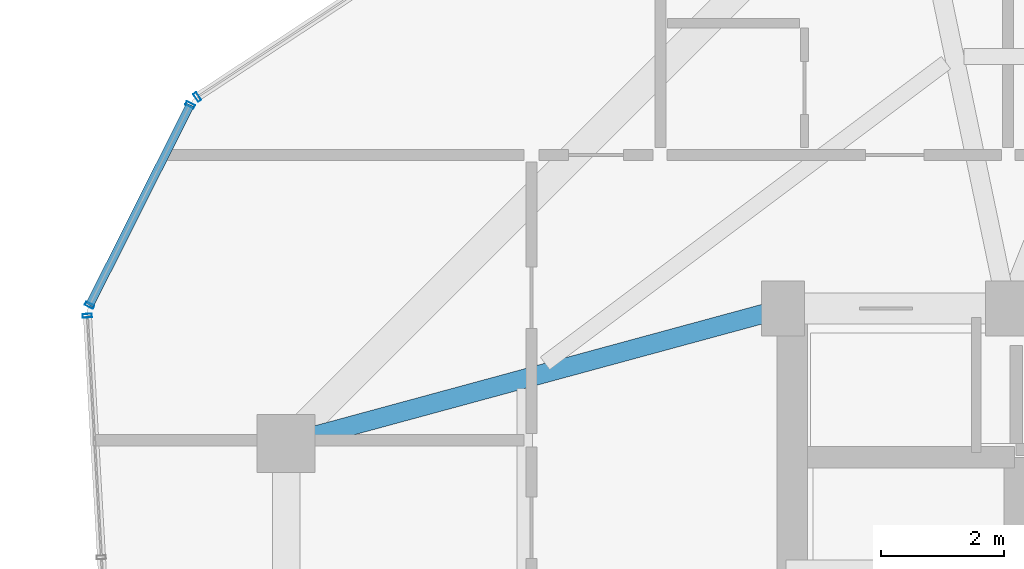
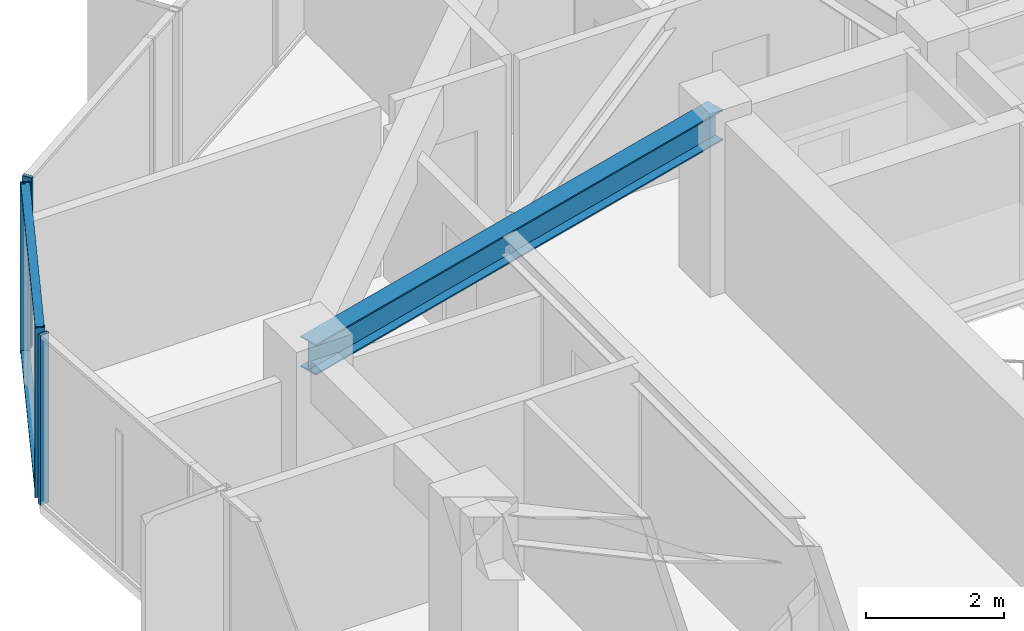
# One storey, part 16 of 33: 6 members, 1 beam, 3 elements without a shape of their own.
"""IFC4 building model written with IfcOpenShell, lengths in metres."""

from ifc_helpers import new_model, si_unit, direction, frame, origin, origin_2d, place, context, subcontext, project, spatial, hollow_rectangle, i_section, extrude, source, transform, mapped, material, layer, layer_set, material_profile, profile_set, type_object, element, aggregate, save


model = new_model("IFC4")

# Units and contexts
model_context = context("Model", 3, precision=1e-05, world=origin(), true_north=direction((0.0, 1.0)))
body_context = subcontext(model_context, "Body", "Model", "MODEL_VIEW")
ifc_project = project(units=[si_unit("LENGTHUNIT", "METRE"), si_unit("AREAUNIT", "SQUARE_METRE"), si_unit("VOLUMEUNIT", "CUBIC_METRE"), si_unit("PLANEANGLEUNIT", "RADIAN"), si_unit("MASSUNIT", "GRAM", prefix="KILO")], contexts=[model_context])

# Site, building, storey
site_placement = place(None, origin())
site = spatial("IfcSite", under=ifc_project, at=site_placement, CompositionType="ELEMENT")
building_placement = place(site_placement, origin())
building = spatial("IfcBuilding", under=site, at=building_placement, Name="Veraguas Prism Commons", CompositionType="ELEMENT")
storey_placement = place(building_placement, frame((0.0, 0.0, 195.10009765625)))
storey = spatial("IfcBuildingStorey", under=building, at=storey_placement, Name="L55", CompositionType="ELEMENT", Elevation=195.10009765625)

# Beam
ifc_material_1 = material(Name="Steel ASTM A992 Grade 50", Category="steel")
ifc_material_profile_1 = material_profile(ifc_material_1, i_section(OverallWidth=0.31103515625, OverallDepth=0.5458984375, WebThickness=0.0146484375, FlangeThickness=0.023681640625, at=origin_2d()), Name="W530X165")
ifc_profile_set_1 = profile_set([ifc_material_profile_1], Name="Steel ASTM A992 Grade 50")
beam_type = type_object("IfcBeamType", Name="Zone 3 Radial Girder W530x165", PredefinedType="BEAM", material=ifc_profile_set_1)
beam_placement = place(storey_placement, frame((9.10009765625, 28.800048828125, 2.741943359375), z_axis=(0.965038506703, 0.262108146725, 0.0), x_axis=(-0.262108146725, 0.965038506703, 0.0)))
element("IfcBeam", 1, at=beam_placement, inside=storey, type_object=beam_type, Name="Radial Floor Girder L55-RD07", PredefinedType="BEAM", context=body_context, shape_type="SweptSolid", body=[
    extrude(i_section(OverallWidth=0.31103515625, OverallDepth=0.5458984375, WebThickness=0.0146484375, FlangeThickness=0.023681640625, at=origin_2d()), origin(), (0.0, 0.0, 1.0), 8.393310546875),
])

# Curtain wall, member
ifc_material_2 = material(Name="Anodised aluminium EN AW-6063 T6", Category="aluminium")
ifc_layer = layer(ifc_material_2, 0.14990234375, Name="Unitised Flush Curtain Wall Zone 3", Category="aluminium")
ifc_layer_set = layer_set([ifc_layer], Name="Anodised aluminium EN AW-6063 T6")
curtain_wall_type = type_object("IfcCurtainWallType", Name="Unitised Flush Curtain Wall Zone 3", PredefinedType="NOTDEFINED", material=ifc_layer_set)
curtain_wall_1_placement = place(storey_placement, origin())
curtain_wall_1 = element("IfcCurtainWall", 2, at=curtain_wall_1_placement, inside=storey, type_object=curtain_wall_type, Name="Tower Facade Curtain Wall L55-F2", PredefinedType="NOTDEFINED")
ifc_material_profile_2 = material_profile(ifc_material_2, hollow_rectangle(XDim=0.06005859375, YDim=0.14990234375, WallThickness=0.0029296875, at=origin_2d()), Name="AL60X150X3")
ifc_profile_set_2 = profile_set([ifc_material_profile_2], Name="Anodised aluminium EN AW-6063 T6")
member_type_1 = type_object("IfcMemberType", Name="Curtain Wall Mullion Upper AL 60x150x3", PredefinedType="MULLION", material=ifc_profile_set_2)
shared_shape_1 = source(origin(), body_context, "Body", "SweptSolid", [
    extrude(hollow_rectangle(XDim=0.06005859375, YDim=0.14990234375, WallThickness=0.0029296875, at=origin_2d()), origin(), (0.0, 0.0, 1.0), 3.014892578125),
])
member_1_placement = place(storey_placement, frame((7.65234375, 34.44775390625, 0.0), z_axis=(0.0, 0.0, 1.0), x_axis=(-0.835621417698, -0.549305785774, 0.0)))
member_1 = element("IfcMember", 3, at=member_1_placement, type_object=member_type_1, Name="CW-Z3 Mullion 5", PredefinedType="MULLION", context=body_context, shape_type="MappedRepresentation", body=[
    mapped(shared_shape_1, transform((0.0, 0.0, 0.0), scale=1.0)),
])
aggregate(curtain_wall_1, [member_1])

curtain_wall_2_placement = place(storey_placement, origin())
curtain_wall_2 = element("IfcCurtainWall", 4, at=curtain_wall_2_placement, inside=storey, type_object=curtain_wall_type, Name="Tower Facade Curtain Wall L55-F3", PredefinedType="NOTDEFINED")
member_2_placement = place(storey_placement, frame((5.86083984375, 30.88232421875, 0.0), z_axis=(0.0, 0.0, 1.0), x_axis=(0.05790902568, -0.998321864303, 0.0)))
member_2 = element("IfcMember", 5, at=member_2_placement, type_object=member_type_1, Name="CW-Z3 Mullion 1", PredefinedType="MULLION", context=body_context, shape_type="MappedRepresentation", body=[
    mapped(shared_shape_1, transform((0.0, 0.0, 0.0), scale=1.0)),
])
aggregate(curtain_wall_2, [member_2])

# Curtain wall, members
curtain_wall_3_placement = place(storey_placement, origin())
curtain_wall_3 = element("IfcCurtainWall", 6, at=curtain_wall_3_placement, inside=storey, type_object=curtain_wall_type, Name="Chamfer Curtain Wall L55-C3", PredefinedType="NOTDEFINED")
member_3_placement = place(storey_placement, frame((7.536865234375, 34.31787109375, 0.0), z_axis=(0.0, 0.0, 1.0), x_axis=(-0.44900088779, -0.893531310455, 0.0)))
member_3 = element("IfcMember", 7, at=member_3_placement, type_object=member_type_1, Name="CW-Z3 Mullion 1", PredefinedType="MULLION", context=body_context, shape_type="MappedRepresentation", body=[
    mapped(shared_shape_1, transform((0.0, 0.0, 0.0), scale=1.0)),
])
member_4_placement = place(storey_placement, frame((5.89599609375, 31.052490234375, 0.0), z_axis=(0.0, 0.0, 1.0), x_axis=(-0.44900088779, -0.893531310455, 0.0)))
member_4 = element("IfcMember", 8, at=member_4_placement, type_object=member_type_1, Name="CW-Z3 Mullion 2", PredefinedType="MULLION", context=body_context, shape_type="MappedRepresentation", body=[
    mapped(shared_shape_1, transform((0.0, 0.0, 0.0), scale=1.0)),
])
ifc_material_profile_3 = material_profile(ifc_material_2, hollow_rectangle(XDim=0.054931640625, YDim=0.135009765625, WallThickness=0.0029296875, at=origin_2d()), Name="AL55X135X3")
ifc_profile_set_3 = profile_set([ifc_material_profile_3], Name="Anodised aluminium EN AW-6063 T6")
member_type_2 = type_object("IfcMemberType", Name="Curtain Wall Transom Standard AL 55x135x3", PredefinedType="USERDEFINED", material=ifc_profile_set_3)
shared_shape_2 = source(origin(), body_context, "Body", "SweptSolid", [
    extrude(hollow_rectangle(XDim=0.054931640625, YDim=0.135009765625, WallThickness=0.0029296875, at=origin_2d()), origin(), (0.0, 0.0, 1.0), 3.654541015625),
])
member_5_placement = place(storey_placement, frame((7.536865234375, 34.31787109375, 0.02734375), z_axis=(-0.449003100222, -0.893530198701, 0.0), x_axis=(0.0, 0.0, 1.0)))
member_5 = element("IfcMember", 9, at=member_5_placement, type_object=member_type_2, Name="CW-Z3 Transom 1", ObjectType="TRANSOM", PredefinedType="USERDEFINED", context=body_context, shape_type="MappedRepresentation", body=[
    mapped(shared_shape_2, transform((0.0, 0.0, 0.0), scale=1.0)),
])
member_6_placement = place(storey_placement, frame((7.536865234375, 34.31787109375, 2.9873046875), z_axis=(-0.449003100222, -0.893530198701, 0.0), x_axis=(0.0, 0.0, 1.0)))
member_6 = element("IfcMember", 10, at=member_6_placement, type_object=member_type_2, Name="CW-Z3 Transom 2", ObjectType="TRANSOM", PredefinedType="USERDEFINED", context=body_context, shape_type="MappedRepresentation", body=[
    mapped(shared_shape_2, transform((0.0, 0.0, 0.0), scale=1.0)),
])
aggregate(curtain_wall_3, [member_3, member_4, member_5, member_6])

save(model, "model.ifc")
